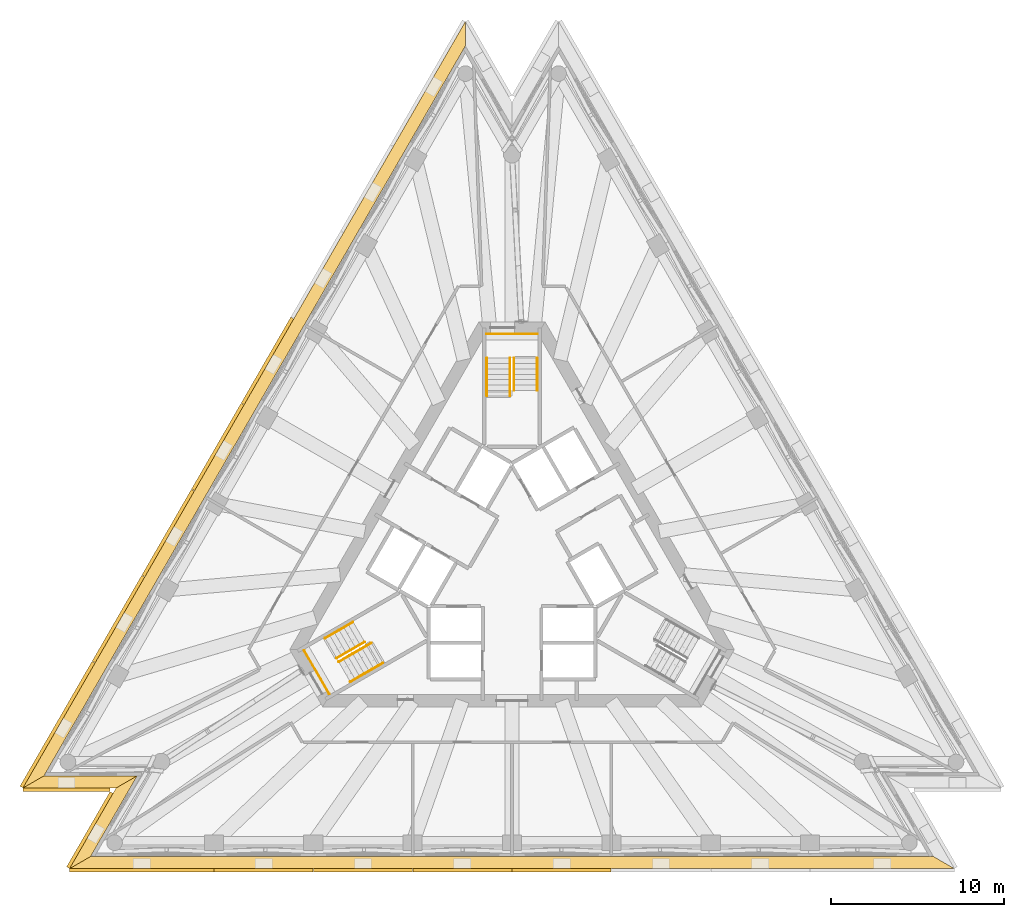
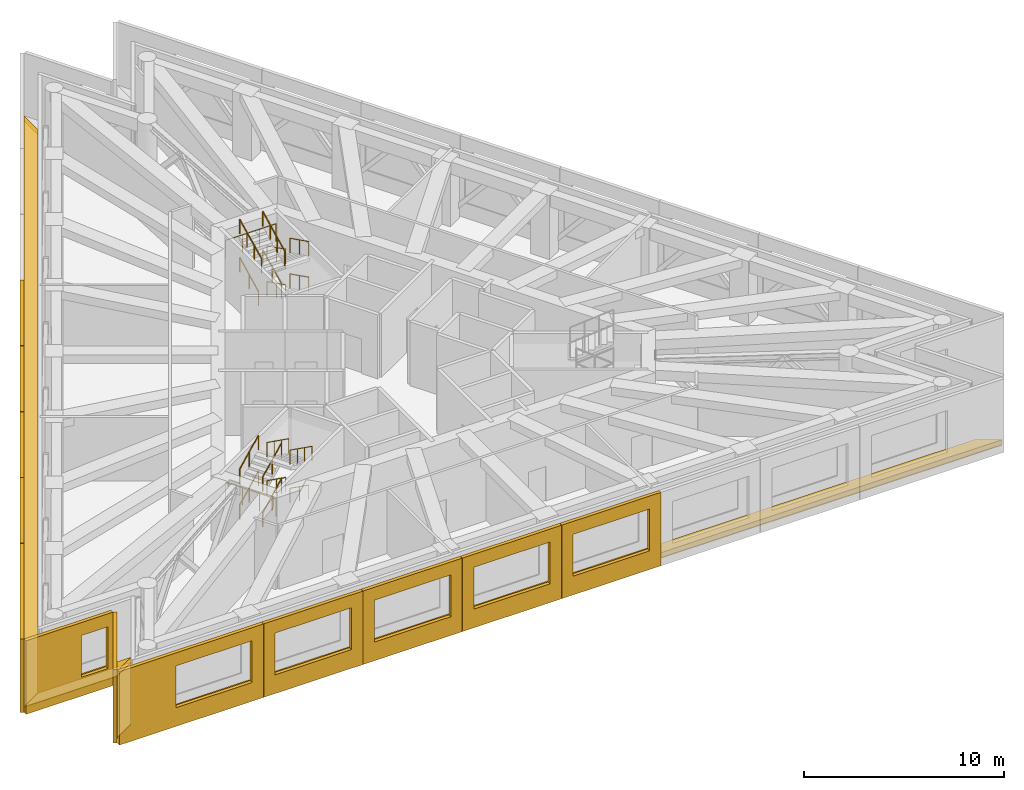
# One storey, part 11 of 12: 18 railings, 16 shading devices, 4 coverings, 2 elements without a shape of their own.
"""IFC4 building model written with IfcOpenShell, lengths in metres."""

from ifc_helpers import new_model, si_unit, direction, frame, origin, origin_2d, place, context, subcontext, project, spatial, polyline, circle, outline, extrude, material, layer, layer_set, layer_usage, type_object, element, aggregate, save


model = new_model("IFC4")

# Units and contexts
model_context = context("Model", 3, precision=1e-05, world=origin(), true_north=direction((0.0, 1.0)))
body_context = subcontext(model_context, "Body", "Model", "MODEL_VIEW")
ifc_project = project(units=[si_unit("LENGTHUNIT", "METRE"), si_unit("AREAUNIT", "SQUARE_METRE"), si_unit("VOLUMEUNIT", "CUBIC_METRE"), si_unit("PLANEANGLEUNIT", "RADIAN"), si_unit("MASSUNIT", "GRAM", prefix="KILO")], contexts=[model_context])

# Site, building, storey
site_placement = place(None, origin())
site = spatial("IfcSite", under=ifc_project, at=site_placement, CompositionType="ELEMENT")
building_placement = place(site_placement, origin())
building = spatial("IfcBuilding", under=site, at=building_placement, Name="Triada Interchange Tower", CompositionType="ELEMENT")
storey_placement = place(building_placement, frame((0.0, 0.0, 251.300048828125)))
storey = spatial("IfcBuildingStorey", under=building, at=storey_placement, Name="L59", CompositionType="ELEMENT", Elevation=251.300048828125)

# Coverings
ifc_material_1 = material(Name="Mineral fire-stop board")
ifc_layer_1 = layer(ifc_material_1, 0.0400390625, Name="Mineral fire-stop board")
ifc_material_2 = material(Name="Intumescent sealant")
ifc_layer_2 = layer(ifc_material_2, 0.010009765625, Name="Intumescent seal")
ifc_layer_set_1 = layer_set([ifc_layer_1, ifc_layer_2], Name="Cavity fire stop")
ifc_layer_usage = layer_usage(ifc_layer_set_1, "AXIS3", "POSITIVE", 0.0)
covering_type = type_object("IfcCoveringType", Name="Cavity fire stop", PredefinedType="INSULATION", material=ifc_layer_set_1)
covering_1_placement = place(storey_placement, origin())
element("IfcCovering", 1, at=covering_1_placement, inside=storey, type_object=covering_type, material=ifc_layer_usage, Name="Cavity fire stop L59 NW", PredefinedType="INSULATION", context=body_context, shape_type="SweptSolid", body=[
    extrude(outline(polyline([(-2.68603515625, 29.611083984375), (-2.68603515625, 31.010986328125), (-28.198974609375, -13.178955078125), (-26.987060546875, -12.47900390625), (-2.68603515625, 29.611083984375)])), origin(), (0.0, 0.0, 1.0), 0.050048828125),
])
covering_2_placement = place(storey_placement, origin())
element("IfcCovering", 2, at=covering_2_placement, inside=storey, type_object=covering_type, material=ifc_layer_usage, Name="Cavity fire stop L59 SW-1", PredefinedType="INSULATION", context=body_context, shape_type="SweptSolid", body=[
    extrude(outline(polyline([(-26.987060546875, -12.47900390625), (-28.198974609375, -13.178955078125), (-22.826904296875, -13.178955078125), (-21.614990234375, -12.47900390625), (-26.987060546875, -12.47900390625)])), origin(), (0.0, 0.0, 1.0), 0.050048828125),
])
covering_3_placement = place(storey_placement, origin())
element("IfcCovering", 3, at=covering_3_placement, inside=storey, type_object=covering_type, material=ifc_layer_usage, Name="Cavity fire stop L59 SW-2", PredefinedType="INSULATION", context=body_context, shape_type="SweptSolid", body=[
    extrude(outline(polyline([(-21.614990234375, -12.47900390625), (-22.826904296875, -13.178955078125), (-25.512939453125, -17.83203125), (-24.301025390625, -17.132080078125), (-21.614990234375, -12.47900390625)])), origin(), (0.0, 0.0, 1.0), 0.050048828125),
])
covering_4_placement = place(storey_placement, origin())
element("IfcCovering", 4, at=covering_4_placement, inside=storey, type_object=covering_type, material=ifc_layer_usage, Name="Cavity fire stop L59 S", PredefinedType="INSULATION", context=body_context, shape_type="SweptSolid", body=[
    extrude(outline(polyline([(-24.301025390625, -17.132080078125), (-25.512939453125, -17.83203125), (25.512939453125, -17.83203125), (24.301025390625, -17.132080078125), (-24.301025390625, -17.132080078125)])), origin(), (0.0, 0.0, 1.0), 0.050048828125),
])

# Shading devices
ifc_material_3 = material(Name="Aluminium louvre", Category="aluminium")
shading_device_type_1 = type_object("IfcShadingDeviceType", Name="Cavity louvre grille", PredefinedType="JALOUSIE", material=ifc_material_3)
shading_device_1_placement = place(storey_placement, frame((0.0, 0.0, 0.050048828125)))
element("IfcShadingDevice", 5, at=shading_device_1_placement, inside=storey, type_object=shading_device_type_1, Name="Cavity louvre grille L59 NW", PredefinedType="JALOUSIE", context=body_context, shape_type="SweptSolid", body=[
    extrude(outline(polyline([(-2.68603515625, 29.611083984375), (-2.68603515625, 31.010986328125), (-28.198974609375, -13.178955078125), (-26.987060546875, -12.47900390625), (-2.68603515625, 29.611083984375)])), origin(), (0.0, 0.0, 1.0), 0.2998046875),
])
shading_device_2_placement = place(storey_placement, frame((0.0, 0.0, 0.050048828125)))
element("IfcShadingDevice", 6, at=shading_device_2_placement, inside=storey, type_object=shading_device_type_1, Name="Cavity louvre grille L59 SW-1", PredefinedType="JALOUSIE", context=body_context, shape_type="SweptSolid", body=[
    extrude(outline(polyline([(-26.987060546875, -12.47900390625), (-28.198974609375, -13.178955078125), (-22.826904296875, -13.178955078125), (-21.614990234375, -12.47900390625), (-26.987060546875, -12.47900390625)])), origin(), (0.0, 0.0, 1.0), 0.2998046875),
])
shading_device_3_placement = place(storey_placement, frame((0.0, 0.0, 0.050048828125)))
element("IfcShadingDevice", 7, at=shading_device_3_placement, inside=storey, type_object=shading_device_type_1, Name="Cavity louvre grille L59 SW-2", PredefinedType="JALOUSIE", context=body_context, shape_type="SweptSolid", body=[
    extrude(outline(polyline([(-21.614990234375, -12.47900390625), (-22.826904296875, -13.178955078125), (-25.512939453125, -17.83203125), (-24.301025390625, -17.132080078125), (-21.614990234375, -12.47900390625)])), origin(), (0.0, 0.0, 1.0), 0.2998046875),
])
shading_device_4_placement = place(storey_placement, frame((0.0, 0.0, 0.050048828125)))
element("IfcShadingDevice", 8, at=shading_device_4_placement, inside=storey, type_object=shading_device_type_1, Name="Cavity louvre grille L59 S", PredefinedType="JALOUSIE", context=body_context, shape_type="SweptSolid", body=[
    extrude(outline(polyline([(-24.301025390625, -17.132080078125), (-25.512939453125, -17.83203125), (25.512939453125, -17.83203125), (24.301025390625, -17.132080078125), (-24.301025390625, -17.132080078125)])), origin(), (0.0, 0.0, 1.0), 0.2998046875),
])
ifc_material_4 = material(Name="Concrete C50/60 precast", Category="concrete")
ifc_layer_3 = layer(ifc_material_4, 0.02001953125, Name="Exposed aggregate face")
ifc_layer_4 = layer(ifc_material_4, 0.179931640625, Name="Precast concrete screen")
ifc_layer_set_2 = layer_set([ifc_layer_3, ifc_layer_4], Name="Outer skin screen panel 4480")
shading_device_type_2 = type_object("IfcShadingDeviceType", Name="Outer skin screen panel 4480", PredefinedType="SHUTTER", material=ifc_layer_set_2)
shading_device_5_placement = place(storey_placement, frame((-12.5830078125, 13.868896484375, -0.2900390625), z_axis=(0.0, 0.0, 1.0), x_axis=(-0.50008521762, -0.865976197778, 0.0)))
element("IfcShadingDevice", 9, at=shading_device_5_placement, inside=storey, type_object=shading_device_type_2, Name="Outer skin screen panel L59 04", PredefinedType="SHUTTER", context=body_context, shape_type="SweptSolid", body=[
    extrude(outline(polyline([(0.0, 0.0), (5.708984375, 0.0), (5.708984375, 4.47998046875), (0.0, 4.47998046875), (0.0, 0.0)]), holes=[polyline([(0.654296875, 1.139892578125), (0.654296875, 3.68994140625), (5.05419921875, 3.68994140625), (5.05419921875, 1.139892578125), (0.654296875, 1.139892578125)])]), frame((0.0, 0.0, 0.0), z_axis=(0.0, -1.0, 0.0), x_axis=(1.0, 0.0, 0.0)), (0.0, 0.0, 1.0), 0.199951171875),
])
shading_device_6_placement = place(storey_placement, frame((-15.447998046875, 8.906982421875, -0.2900390625), z_axis=(0.0, 0.0, 1.0), x_axis=(-0.499938405553, -0.866060962434, 0.0)))
element("IfcShadingDevice", 10, at=shading_device_6_placement, inside=storey, type_object=shading_device_type_2, Name="Outer skin screen panel L59 05", PredefinedType="SHUTTER", context=body_context, shape_type="SweptSolid", body=[
    extrude(outline(polyline([(0.0, 0.0), (5.708740234375, 0.0), (5.708740234375, 4.47998046875), (0.0, 4.47998046875), (0.0, 0.0)]), holes=[polyline([(0.654541015625, 1.139892578125), (0.654541015625, 3.68994140625), (5.054443359375, 3.68994140625), (5.054443359375, 1.139892578125), (0.654541015625, 1.139892578125)])]), frame((0.0, 0.0, 0.0), z_axis=(0.0, -1.0, 0.0), x_axis=(1.0, 0.0, 0.0)), (0.0, 0.0, 1.0), 0.199951171875),
])
shading_device_7_placement = place(storey_placement, frame((-18.31201171875, 3.946044921875, -0.2900390625), z_axis=(0.0, 0.0, 1.0), x_axis=(-0.499938405553, -0.866060962434, 0.0)))
element("IfcShadingDevice", 11, at=shading_device_7_placement, inside=storey, type_object=shading_device_type_2, Name="Outer skin screen panel L59 06", PredefinedType="SHUTTER", context=body_context, shape_type="SweptSolid", body=[
    extrude(outline(polyline([(0.0, 0.0), (5.708740234375, 0.0), (5.708740234375, 4.47998046875), (0.0, 4.47998046875), (0.0, 0.0)]), holes=[polyline([(0.65478515625, 1.139892578125), (0.65478515625, 3.68994140625), (5.0546875, 3.68994140625), (5.0546875, 1.139892578125), (0.65478515625, 1.139892578125)])]), frame((0.0, 0.0, 0.0), z_axis=(0.0, -1.0, 0.0), x_axis=(1.0, 0.0, 0.0)), (0.0, 0.0, 1.0), 0.199951171875),
])
shading_device_8_placement = place(storey_placement, frame((-21.176025390625, -1.014892578125, -0.2900390625), z_axis=(0.0, 0.0, 1.0), x_axis=(-0.500066698622, -0.865986891892, 0.0)))
element("IfcShadingDevice", 12, at=shading_device_8_placement, inside=storey, type_object=shading_device_type_2, Name="Outer skin screen panel L59 07", PredefinedType="SHUTTER", context=body_context, shape_type="SweptSolid", body=[
    extrude(outline(polyline([(0.0, 0.0), (5.709228515625, 0.0), (5.709228515625, 4.47998046875), (0.0, 4.47998046875), (0.0, 0.0)]), holes=[polyline([(0.654052734375, 1.139892578125), (0.654052734375, 3.68994140625), (5.053955078125, 3.68994140625), (5.053955078125, 1.139892578125), (0.654052734375, 1.139892578125)])]), frame((0.0, 0.0, 0.0), z_axis=(0.0, -1.0, 0.0), x_axis=(1.0, 0.0, 0.0)), (0.0, 0.0, 1.0), 0.199951171875),
])
shading_device_9_placement = place(storey_placement, frame((-24.041015625, -5.97607421875, -0.2900390625), z_axis=(0.0, 0.0, 1.0), x_axis=(-0.499973480863, -0.866040714074, 0.0)))
element("IfcShadingDevice", 13, at=shading_device_9_placement, inside=storey, type_object=shading_device_type_2, Name="Outer skin screen panel L59 08", PredefinedType="SHUTTER", context=body_context, shape_type="SweptSolid", body=[
    extrude(outline(polyline([(0.0, 0.0), (8.306640625, 0.0), (8.306640625, 4.47998046875), (0.0, 4.47998046875), (0.0, 0.0)]), holes=[polyline([(0.654296875, 1.139892578125), (0.654296875, 3.68994140625), (5.05419921875, 3.68994140625), (5.05419921875, 1.139892578125), (0.654296875, 1.139892578125)])]), frame((0.0, 0.0, 0.0), z_axis=(0.0, -1.0, 0.0), x_axis=(1.0, 0.0, 0.0)), (0.0, 0.0, 1.0), 0.199951171875),
])
shading_device_10_placement = place(storey_placement, frame((-28.18896484375, -13.178955078125, -0.2900390625), z_axis=(0.0, 0.0, 1.0), x_axis=(1.0, 0.0, 0.0)))
element("IfcShadingDevice", 14, at=shading_device_10_placement, inside=storey, type_object=shading_device_type_2, Name="Outer skin screen panel L59 09", PredefinedType="SHUTTER", context=body_context, shape_type="SweptSolid", body=[
    extrude(outline(polyline([(0.0, 0.0), (5.0048828125, 0.0), (5.0048828125, 4.47998046875), (0.0, 4.47998046875), (0.0, 0.0)]), holes=[polyline([(3.175048828125, 1.139892578125), (3.175048828125, 3.68994140625), (4.705078125, 3.68994140625), (4.705078125, 1.139892578125), (3.175048828125, 1.139892578125)])]), frame((0.0, 0.0, 0.0), z_axis=(0.0, -1.0, 0.0), x_axis=(1.0, 0.0, 0.0)), (0.0, 0.0, 1.0), 0.199951171875),
])
shading_device_11_placement = place(storey_placement, frame((-23.0048828125, -13.488037109375, -0.2900390625), z_axis=(0.0, 0.0, 1.0), x_axis=(-0.500057377241, -0.865992274485, 0.0)))
element("IfcShadingDevice", 15, at=shading_device_11_placement, inside=storey, type_object=shading_device_type_2, Name="Outer skin screen panel L59 10", PredefinedType="SHUTTER", context=body_context, shape_type="SweptSolid", body=[
    extrude(outline(polyline([(0.0, 0.0), (5.005859375, 0.0), (5.005859375, 4.47998046875), (0.0, 4.47998046875), (0.0, 0.0)]), holes=[polyline([(0.300048828125, 1.139892578125), (0.300048828125, 3.68994140625), (1.758056640625, 3.68994140625), (1.758056640625, 1.139892578125), (0.300048828125, 1.139892578125)])]), frame((0.0, 0.0, 0.0), z_axis=(0.0, -1.0, 0.0), x_axis=(1.0, 0.0, 0.0)), (0.0, 0.0, 1.0), 0.199951171875),
])
shading_device_12_placement = place(storey_placement, frame((-25.5029296875, -17.83203125, -0.2900390625), z_axis=(0.0, 0.0, 1.0), x_axis=(1.0, 0.0, 0.0)))
element("IfcShadingDevice", 16, at=shading_device_12_placement, inside=storey, type_object=shading_device_type_2, Name="Outer skin screen panel L59 11", PredefinedType="SHUTTER", context=body_context, shape_type="SweptSolid", body=[
    extrude(outline(polyline([(0.0, 0.0), (8.306884765625, 0.0), (8.306884765625, 4.47998046875), (0.0, 4.47998046875), (0.0, 0.0)]), holes=[polyline([(3.251953125, 1.139892578125), (3.251953125, 3.68994140625), (7.652099609375, 3.68994140625), (7.652099609375, 1.139892578125), (3.251953125, 1.139892578125)])]), frame((0.0, 0.0, 0.0), z_axis=(0.0, -1.0, 0.0), x_axis=(1.0, 0.0, 0.0)), (0.0, 0.0, 1.0), 0.199951171875),
])
shading_device_13_placement = place(storey_placement, frame((-17.176025390625, -17.83203125, -0.2900390625), z_axis=(0.0, 0.0, 1.0), x_axis=(1.0, 0.0, 0.0)))
element("IfcShadingDevice", 17, at=shading_device_13_placement, inside=storey, type_object=shading_device_type_2, Name="Outer skin screen panel L59 12", PredefinedType="SHUTTER", context=body_context, shape_type="SweptSolid", body=[
    extrude(outline(polyline([(0.0, 0.0), (5.7080078125, 0.0), (5.7080078125, 4.47998046875), (0.0, 4.47998046875), (0.0, 0.0)]), holes=[polyline([(0.654296875, 1.139892578125), (0.654296875, 3.68994140625), (5.05419921875, 3.68994140625), (5.05419921875, 1.139892578125), (0.654296875, 1.139892578125)])]), frame((0.0, 0.0, 0.0), z_axis=(0.0, -1.0, 0.0), x_axis=(1.0, 0.0, 0.0)), (0.0, 0.0, 1.0), 0.199951171875),
])
shading_device_14_placement = place(storey_placement, frame((-11.447998046875, -17.83203125, -0.2900390625), z_axis=(0.0, 0.0, 1.0), x_axis=(1.0, 0.0, 0.0)))
element("IfcShadingDevice", 18, at=shading_device_14_placement, inside=storey, type_object=shading_device_type_2, Name="Outer skin screen panel L59 13", PredefinedType="SHUTTER", context=body_context, shape_type="SweptSolid", body=[
    extrude(outline(polyline([(0.0, 0.0), (5.708984375, 0.0), (5.708984375, 4.47998046875), (0.0, 4.47998046875), (0.0, 0.0)]), holes=[polyline([(0.654541015625, 1.139892578125), (0.654541015625, 3.68994140625), (5.054443359375, 3.68994140625), (5.054443359375, 1.139892578125), (0.654541015625, 1.139892578125)])]), frame((0.0, 0.0, 0.0), z_axis=(0.0, -1.0, 0.0), x_axis=(1.0, 0.0, 0.0)), (0.0, 0.0, 1.0), 0.199951171875),
])
shading_device_15_placement = place(storey_placement, frame((-5.718994140625, -17.83203125, -0.2900390625), z_axis=(0.0, 0.0, 1.0), x_axis=(1.0, 0.0, 0.0)))
element("IfcShadingDevice", 19, at=shading_device_15_placement, inside=storey, type_object=shading_device_type_2, Name="Outer skin screen panel L59 14", PredefinedType="SHUTTER", context=body_context, shape_type="SweptSolid", body=[
    extrude(outline(polyline([(0.0, 0.0), (5.708984375, 0.0), (5.708984375, 4.47998046875), (0.0, 4.47998046875), (0.0, 0.0)]), holes=[polyline([(0.65478515625, 1.139892578125), (0.65478515625, 3.68994140625), (5.0546875, 3.68994140625), (5.0546875, 1.139892578125), (0.65478515625, 1.139892578125)])]), frame((0.0, 0.0, 0.0), z_axis=(0.0, -1.0, 0.0), x_axis=(1.0, 0.0, 0.0)), (0.0, 0.0, 1.0), 0.199951171875),
])
shading_device_16_placement = place(storey_placement, frame((0.010009765625, -17.83203125, -0.2900390625), z_axis=(0.0, 0.0, 1.0), x_axis=(1.0, 0.0, 0.0)))
element("IfcShadingDevice", 20, at=shading_device_16_placement, inside=storey, type_object=shading_device_type_2, Name="Outer skin screen panel L59 15", PredefinedType="SHUTTER", context=body_context, shape_type="SweptSolid", body=[
    extrude(outline(polyline([(0.0, 0.0), (5.708984375, 0.0), (5.708984375, 4.47998046875), (0.0, 4.47998046875), (0.0, 0.0)]), holes=[polyline([(0.654052734375, 1.139892578125), (0.654052734375, 3.68994140625), (5.053955078125, 3.68994140625), (5.053955078125, 1.139892578125), (0.654052734375, 1.139892578125)])]), frame((0.0, 0.0, 0.0), z_axis=(0.0, -1.0, 0.0), x_axis=(1.0, 0.0, 0.0)), (0.0, 0.0, 1.0), 0.199951171875),
])

# Stair, railing
ifc_material_5 = material(Name="Concrete C35/45", Category="concrete")
stair_type = type_object("IfcStairType", Name="HALF TURN STAIR 1400", PredefinedType="HALF_TURN_STAIR", material=ifc_material_5)
stair_1_placement = place(storey_placement, origin())
stair_1 = element("IfcStair", 21, at=stair_1_placement, inside=storey, type_object=stair_type, Name="Exit stair S59-1", PredefinedType="HALF_TURN_STAIR")
ifc_material_6 = material(Name="Stainless steel 1.4301", Category="steel")
railing_type_1 = type_object("IfcRailingType", Name="STAIR GUARD 1100", PredefinedType="GUARDRAIL", material=ifc_material_6)
railing_1_placement = place(storey_placement, frame((1.449951171875, 13.0, 2.17236328125)))
railing_1 = element("IfcRailing", 22, at=railing_1_placement, type_object=railing_type_1, Name="Guard S59-1 1", PredefinedType="GUARDRAIL", context=body_context, shape_type="SweptSolid", body=[
    extrude(circle(Radius=0.02392578125, at=origin_2d()), frame((0.0, 0.0, 1.076171875), z_axis=(-1.0, 0.0, 0.0), x_axis=(0.0, -1.0, 0.0)), (0.0, 0.0, 1.0), 2.89990234375),
    extrude(circle(Radius=0.02099609375, at=origin_2d()), origin(), (0.0, 0.0, 1.0), 1.052001953125),
    extrude(circle(Radius=0.02099609375, at=origin_2d()), frame((-0.966552734375, 0.0, 0.0)), (0.0, 0.0, 1.0), 1.052001953125),
    extrude(circle(Radius=0.02099609375, at=origin_2d()), frame((-1.933349609375, 0.0, 0.0)), (0.0, 0.0, 1.0), 1.052001953125),
    extrude(circle(Radius=0.02099609375, at=origin_2d()), frame((-2.89990234375, 0.0, 0.0)), (0.0, 0.0, 1.0), 1.052001953125),
])

stair_2_placement = place(storey_placement, origin())
stair_2 = element("IfcStair", 23, at=stair_2_placement, inside=storey, type_object=stair_type, Name="Exit stair S59-2", PredefinedType="HALF_TURN_STAIR")
railing_2_placement = place(storey_placement, frame((-11.98291015625, -5.243896484375, 2.17236328125)))
railing_2 = element("IfcRailing", 24, at=railing_2_placement, type_object=railing_type_1, Name="Guard S59-2 1", PredefinedType="GUARDRAIL", context=body_context, shape_type="SweptSolid", body=[
    extrude(circle(Radius=0.02392578125, at=origin_2d()), frame((0.0, 0.0, 1.076171875), z_axis=(0.499877891294, -0.866095891802, 0.0), x_axis=(0.866095891802, 0.499877891294, 0.0)), (0.0, 0.0, 1.0), 2.900634765625),
    extrude(circle(Radius=0.02099609375, at=origin_2d()), origin(), (0.0, 0.0, 1.0), 1.052001953125),
    extrude(circle(Radius=0.02099609375, at=origin_2d()), frame((0.4833984375, -0.83740234375, 0.0)), (0.0, 0.0, 1.0), 1.052001953125),
    extrude(circle(Radius=0.02099609375, at=origin_2d()), frame((0.966552734375, -1.6748046875, 0.0)), (0.0, 0.0, 1.0), 1.052001953125),
    extrude(circle(Radius=0.02099609375, at=origin_2d()), frame((1.449951171875, -2.51220703125, 0.0)), (0.0, 0.0, 1.0), 1.052001953125),
])

# Railing
railing_type_2 = type_object("IfcRailingType", Name="STAIR HANDRAIL 900", PredefinedType="HANDRAIL", material=ifc_material_6)
railing_3_placement = place(storey_placement, frame((1.449951171875, 11.60009765625, 0.155029296875)))
railing_3 = element("IfcRailing", 25, at=railing_3_placement, type_object=railing_type_2, Name="Handrail S59-1 1W", PredefinedType="HANDRAIL", context=body_context, shape_type="SweptSolid", body=[
    extrude(circle(Radius=0.02392578125, at=origin_2d()), frame((0.0, 0.0, 0.8759765625), z_axis=(0.0, -0.894215831392, 0.447636065222), x_axis=(1.0, 0.0, 0.0)), (0.0, 0.0, 1.0), 2.080078125),
    extrude(circle(Radius=0.02099609375, at=origin_2d()), origin(), (0.0, 0.0, 1.0), 0.851806640625),
    extrude(circle(Radius=0.02099609375, at=origin_2d()), frame((0.0, -0.93017578125, 0.465576171875)), (0.0, 0.0, 1.0), 0.851806640625),
    extrude(circle(Radius=0.02099609375, at=origin_2d()), frame((0.0, -1.860107421875, 0.93115234375)), (0.0, 0.0, 1.0), 0.851806640625),
])

railing_4_placement = place(storey_placement, frame((0.1201171875, 11.60009765625, 0.155029296875)))
railing_4 = element("IfcRailing", 26, at=railing_4_placement, type_object=railing_type_2, Name="Handrail S59-1 1C", PredefinedType="HANDRAIL", context=body_context, shape_type="SweptSolid", body=[
    extrude(circle(Radius=0.02392578125, at=origin_2d()), frame((0.0, 0.0, 0.8759765625), z_axis=(0.0, -0.894215831392, 0.447636065222), x_axis=(1.0, 0.0, 0.0)), (0.0, 0.0, 1.0), 2.080078125),
    extrude(circle(Radius=0.02099609375, at=origin_2d()), origin(), (0.0, 0.0, 1.0), 0.851806640625),
    extrude(circle(Radius=0.02099609375, at=origin_2d()), frame((0.0, -0.93017578125, 0.465576171875)), (0.0, 0.0, 1.0), 0.851806640625),
    extrude(circle(Radius=0.02099609375, at=origin_2d()), frame((0.0, -1.860107421875, 0.93115234375)), (0.0, 0.0, 1.0), 0.851806640625),
])

railing_5_placement = place(storey_placement, frame((-1.449951171875, 9.739990234375, 1.241455078125)))
railing_5 = element("IfcRailing", 27, at=railing_5_placement, type_object=railing_type_2, Name="Handrail S59-1 2W", PredefinedType="HANDRAIL", context=body_context, shape_type="SweptSolid", body=[
    extrude(circle(Radius=0.02392578125, at=origin_2d()), frame((0.0, 0.0, 0.8759765625), z_axis=(0.0, 0.894262808804, 0.447542208947), x_axis=(-1.0, 0.0, 0.0)), (0.0, 0.0, 1.0), 2.080078125),
    extrude(circle(Radius=0.02099609375, at=origin_2d()), origin(), (0.0, 0.0, 1.0), 0.851806640625),
    extrude(circle(Radius=0.02099609375, at=origin_2d()), frame((0.0, 0.93017578125, 0.46533203125)), (0.0, 0.0, 1.0), 0.851806640625),
    extrude(circle(Radius=0.02099609375, at=origin_2d()), frame((0.0, 1.860107421875, 0.930908203125)), (0.0, 0.0, 1.0), 0.851806640625),
])

railing_6_placement = place(storey_placement, frame((-0.1201171875, 9.739990234375, 1.241455078125)))
railing_6 = element("IfcRailing", 28, at=railing_6_placement, type_object=railing_type_2, Name="Handrail S59-1 2C", PredefinedType="HANDRAIL", context=body_context, shape_type="SweptSolid", body=[
    extrude(circle(Radius=0.02392578125, at=origin_2d()), frame((0.0, 0.0, 0.8759765625), z_axis=(0.0, 0.894262808804, 0.447542208947), x_axis=(-1.0, 0.0, 0.0)), (0.0, 0.0, 1.0), 2.080078125),
    extrude(circle(Radius=0.02099609375, at=origin_2d()), origin(), (0.0, 0.0, 1.0), 0.851806640625),
    extrude(circle(Radius=0.02099609375, at=origin_2d()), frame((0.0, 0.93017578125, 0.46533203125)), (0.0, 0.0, 1.0), 0.851806640625),
    extrude(circle(Radius=0.02099609375, at=origin_2d()), frame((0.0, 1.860107421875, 0.930908203125)), (0.0, 0.0, 1.0), 0.851806640625),
])

railing_7_placement = place(storey_placement, frame((1.449951171875, 11.60009765625, 2.32763671875)))
railing_7 = element("IfcRailing", 29, at=railing_7_placement, type_object=railing_type_2, Name="Handrail S59-1 3W", PredefinedType="HANDRAIL", context=body_context, shape_type="SweptSolid", body=[
    extrude(circle(Radius=0.02392578125, at=origin_2d()), frame((0.0, 0.0, 0.8759765625), z_axis=(0.0, -0.894262808804, 0.447542208947), x_axis=(1.0, 0.0, 0.0)), (0.0, 0.0, 1.0), 2.080078125),
    extrude(circle(Radius=0.02099609375, at=origin_2d()), origin(), (0.0, 0.0, 1.0), 0.851806640625),
    extrude(circle(Radius=0.02099609375, at=origin_2d()), frame((0.0, -0.93017578125, 0.46533203125)), (0.0, 0.0, 1.0), 0.851806640625),
    extrude(circle(Radius=0.02099609375, at=origin_2d()), frame((0.0, -1.860107421875, 0.930908203125)), (0.0, 0.0, 1.0), 0.851806640625),
])

railing_8_placement = place(storey_placement, frame((0.1201171875, 11.60009765625, 2.32763671875)))
railing_8 = element("IfcRailing", 30, at=railing_8_placement, type_object=railing_type_2, Name="Handrail S59-1 3C", PredefinedType="HANDRAIL", context=body_context, shape_type="SweptSolid", body=[
    extrude(circle(Radius=0.02392578125, at=origin_2d()), frame((0.0, 0.0, 0.8759765625), z_axis=(0.0, -0.894262808804, 0.447542208947), x_axis=(1.0, 0.0, 0.0)), (0.0, 0.0, 1.0), 2.080078125),
    extrude(circle(Radius=0.02099609375, at=origin_2d()), origin(), (0.0, 0.0, 1.0), 0.851806640625),
    extrude(circle(Radius=0.02099609375, at=origin_2d()), frame((0.0, -0.93017578125, 0.46533203125)), (0.0, 0.0, 1.0), 0.851806640625),
    extrude(circle(Radius=0.02099609375, at=origin_2d()), frame((0.0, -1.860107421875, 0.930908203125)), (0.0, 0.0, 1.0), 0.851806640625),
])

railing_9_placement = place(storey_placement, frame((-1.449951171875, 9.429931640625, 3.413818359375)))
railing_9 = element("IfcRailing", 31, at=railing_9_placement, type_object=railing_type_2, Name="Handrail S59-1 4W", PredefinedType="HANDRAIL", context=body_context, shape_type="SweptSolid", body=[
    extrude(circle(Radius=0.02392578125, at=origin_2d()), frame((0.0, 0.0, 0.8759765625), z_axis=(0.0, 0.894246035119, 0.447575723956), x_axis=(-1.0, 0.0, 0.0)), (0.0, 0.0, 1.0), 2.4267578125),
    extrude(circle(Radius=0.02099609375, at=origin_2d()), origin(), (0.0, 0.0, 1.0), 0.851806640625),
    extrude(circle(Radius=0.02099609375, at=origin_2d()), frame((0.0, 0.723388671875, 0.362060546875)), (0.0, 0.0, 1.0), 0.851806640625),
    extrude(circle(Radius=0.02099609375, at=origin_2d()), frame((0.0, 1.44677734375, 0.72412109375)), (0.0, 0.0, 1.0), 0.851806640625),
    extrude(circle(Radius=0.02099609375, at=origin_2d()), frame((0.0, 2.170166015625, 1.086181640625)), (0.0, 0.0, 1.0), 0.851806640625),
])

railing_10_placement = place(storey_placement, frame((-0.1201171875, 9.429931640625, 3.413818359375)))
railing_10 = element("IfcRailing", 32, at=railing_10_placement, type_object=railing_type_2, Name="Handrail S59-1 4C", PredefinedType="HANDRAIL", context=body_context, shape_type="SweptSolid", body=[
    extrude(circle(Radius=0.02392578125, at=origin_2d()), frame((0.0, 0.0, 0.8759765625), z_axis=(0.0, 0.894246035119, 0.447575723956), x_axis=(-1.0, 0.0, 0.0)), (0.0, 0.0, 1.0), 2.4267578125),
    extrude(circle(Radius=0.02099609375, at=origin_2d()), origin(), (0.0, 0.0, 1.0), 0.851806640625),
    extrude(circle(Radius=0.02099609375, at=origin_2d()), frame((0.0, 0.723388671875, 0.362060546875)), (0.0, 0.0, 1.0), 0.851806640625),
    extrude(circle(Radius=0.02099609375, at=origin_2d()), frame((0.0, 1.44677734375, 0.72412109375)), (0.0, 0.0, 1.0), 0.851806640625),
    extrude(circle(Radius=0.02099609375, at=origin_2d()), frame((0.0, 2.170166015625, 1.086181640625)), (0.0, 0.0, 1.0), 0.851806640625),
])

aggregate(stair_1, [railing_3, railing_4, railing_5, railing_6, railing_7, railing_8, railing_9, railing_10, railing_1])

railing_11_placement = place(storey_placement, frame((-10.77099609375, -4.5439453125, 0.155029296875)))
railing_11 = element("IfcRailing", 33, at=railing_11_placement, type_object=railing_type_2, Name="Handrail S59-2 1W", PredefinedType="HANDRAIL", context=body_context, shape_type="SweptSolid", body=[
    extrude(circle(Radius=0.02392578125, at=origin_2d()), frame((0.0, 0.0, 0.8759765625), z_axis=(0.774469289278, 0.447030386856, 0.447617194925), x_axis=(-0.499908018857, 0.866078502609, 0.0)), (0.0, 0.0, 1.0), 2.080322265625),
    extrude(circle(Radius=0.02099609375, at=origin_2d()), origin(), (0.0, 0.0, 1.0), 0.851806640625),
    extrude(circle(Radius=0.02099609375, at=origin_2d()), frame((0.8056640625, 0.46484375, 0.465576171875)), (0.0, 0.0, 1.0), 0.851806640625),
    extrude(circle(Radius=0.02099609375, at=origin_2d()), frame((1.611083984375, 0.929931640625, 0.93115234375)), (0.0, 0.0, 1.0), 0.851806640625),
])

railing_12_placement = place(storey_placement, frame((-10.10595703125, -5.696044921875, 0.155029296875)))
railing_12 = element("IfcRailing", 34, at=railing_12_placement, type_object=railing_type_2, Name="Handrail S59-2 1C", PredefinedType="HANDRAIL", context=body_context, shape_type="SweptSolid", body=[
    extrude(circle(Radius=0.02392578125, at=origin_2d()), frame((0.0, 0.0, 0.8759765625), z_axis=(0.774422315071, 0.447071021234, 0.447657882643), x_axis=(-0.499964847546, 0.866045698112, 0.0)), (0.0, 0.0, 1.0), 2.080078125),
    extrude(circle(Radius=0.02099609375, at=origin_2d()), origin(), (0.0, 0.0, 1.0), 0.851806640625),
    extrude(circle(Radius=0.02099609375, at=origin_2d()), frame((0.805419921875, 0.46484375, 0.465576171875)), (0.0, 0.0, 1.0), 0.851806640625),
    extrude(circle(Radius=0.02099609375, at=origin_2d()), frame((1.61083984375, 0.929931640625, 0.93115234375)), (0.0, 0.0, 1.0), 0.851806640625),
])

railing_13_placement = place(storey_placement, frame((-7.7099609375, -6.1259765625, 1.241455078125)))
railing_13 = element("IfcRailing", 35, at=railing_13_placement, type_object=railing_type_2, Name="Handrail S59-2 2W", PredefinedType="HANDRAIL", context=body_context, shape_type="SweptSolid", body=[
    extrude(circle(Radius=0.02392578125, at=origin_2d()), frame((0.0, 0.0, 0.8759765625), z_axis=(-0.774509972404, -0.447053869509, 0.447523340624), x_axis=(0.499908018857, -0.866078502609, 0.0)), (0.0, 0.0, 1.0), 2.080078125),
    extrude(circle(Radius=0.02099609375, at=origin_2d()), origin(), (0.0, 0.0, 1.0), 0.851806640625),
    extrude(circle(Radius=0.02099609375, at=origin_2d()), frame((-0.8056640625, -0.46484375, 0.46533203125)), (0.0, 0.0, 1.0), 0.851806640625),
    extrude(circle(Radius=0.02099609375, at=origin_2d()), frame((-1.611083984375, -0.929931640625, 0.930908203125)), (0.0, 0.0, 1.0), 0.851806640625),
])

railing_14_placement = place(storey_placement, frame((-8.375, -4.97412109375, 1.241455078125)))
railing_14 = element("IfcRailing", 36, at=railing_14_placement, type_object=railing_type_2, Name="Handrail S59-2 2C", PredefinedType="HANDRAIL", context=body_context, shape_type="SweptSolid", body=[
    extrude(circle(Radius=0.02392578125, at=origin_2d()), frame((0.0, 0.0, 0.8759765625), z_axis=(-0.774509972404, -0.447053869509, 0.447523340624), x_axis=(0.499908018857, -0.866078502609, 0.0)), (0.0, 0.0, 1.0), 2.080078125),
    extrude(circle(Radius=0.02099609375, at=origin_2d()), origin(), (0.0, 0.0, 1.0), 0.851806640625),
    extrude(circle(Radius=0.02099609375, at=origin_2d()), frame((-0.8056640625, -0.46484375, 0.46533203125)), (0.0, 0.0, 1.0), 0.851806640625),
    extrude(circle(Radius=0.02099609375, at=origin_2d()), frame((-1.611083984375, -0.929931640625, 0.930908203125)), (0.0, 0.0, 1.0), 0.851806640625),
])

railing_15_placement = place(storey_placement, frame((-10.77099609375, -4.5439453125, 2.32763671875)))
railing_15 = element("IfcRailing", 37, at=railing_15_placement, type_object=railing_type_2, Name="Handrail S59-2 3W", PredefinedType="HANDRAIL", context=body_context, shape_type="SweptSolid", body=[
    extrude(circle(Radius=0.02392578125, at=origin_2d()), frame((0.0, 0.0, 0.8759765625), z_axis=(0.774509972404, 0.447053869509, 0.447523340624), x_axis=(-0.499908018857, 0.866078502609, 0.0)), (0.0, 0.0, 1.0), 2.080078125),
    extrude(circle(Radius=0.02099609375, at=origin_2d()), origin(), (0.0, 0.0, 1.0), 0.851806640625),
    extrude(circle(Radius=0.02099609375, at=origin_2d()), frame((0.8056640625, 0.46484375, 0.46533203125)), (0.0, 0.0, 1.0), 0.851806640625),
    extrude(circle(Radius=0.02099609375, at=origin_2d()), frame((1.611083984375, 0.929931640625, 0.930908203125)), (0.0, 0.0, 1.0), 0.851806640625),
])

railing_16_placement = place(storey_placement, frame((-10.10595703125, -5.696044921875, 2.32763671875)))
railing_16 = element("IfcRailing", 38, at=railing_16_placement, type_object=railing_type_2, Name="Handrail S59-2 3C", PredefinedType="HANDRAIL", context=body_context, shape_type="SweptSolid", body=[
    extrude(circle(Radius=0.02392578125, at=origin_2d()), frame((0.0, 0.0, 0.8759765625), z_axis=(0.774463003126, 0.447094510292, 0.447564024086), x_axis=(-0.499964847546, 0.866045698112, 0.0)), (0.0, 0.0, 1.0), 2.079833984375),
    extrude(circle(Radius=0.02099609375, at=origin_2d()), origin(), (0.0, 0.0, 1.0), 0.851806640625),
    extrude(circle(Radius=0.02099609375, at=origin_2d()), frame((0.805419921875, 0.46484375, 0.46533203125)), (0.0, 0.0, 1.0), 0.851806640625),
    extrude(circle(Radius=0.02099609375, at=origin_2d()), frame((1.61083984375, 0.929931640625, 0.930908203125)), (0.0, 0.0, 1.0), 0.851806640625),
])

railing_17_placement = place(storey_placement, frame((-7.44189453125, -5.970947265625, 3.413818359375)))
railing_17 = element("IfcRailing", 39, at=railing_17_placement, type_object=railing_type_2, Name="Handrail S59-2 4W", PredefinedType="HANDRAIL", context=body_context, shape_type="SweptSolid", body=[
    extrude(circle(Radius=0.02392578125, at=origin_2d()), frame((0.0, 0.0, 0.8759765625), z_axis=(-0.774412913132, -0.447121084313, 0.447624145839), x_axis=(0.500011390128, -0.866018827591, 0.0)), (0.0, 0.0, 1.0), 2.426513671875),
    extrude(circle(Radius=0.02099609375, at=origin_2d()), origin(), (0.0, 0.0, 1.0), 0.851806640625),
    extrude(circle(Radius=0.02099609375, at=origin_2d()), frame((-0.62646484375, -0.361572265625, 0.362060546875)), (0.0, 0.0, 1.0), 0.851806640625),
    extrude(circle(Radius=0.02099609375, at=origin_2d()), frame((-1.252685546875, -0.723388671875, 0.72412109375)), (0.0, 0.0, 1.0), 0.851806640625),
    extrude(circle(Radius=0.02099609375, at=origin_2d()), frame((-1.879150390625, -1.0849609375, 1.086181640625)), (0.0, 0.0, 1.0), 0.851806640625),
])

railing_18_placement = place(storey_placement, frame((-8.10693359375, -4.819091796875, 3.413818359375)))
railing_18 = element("IfcRailing", 40, at=railing_18_placement, type_object=railing_type_2, Name="Handrail S59-2 4C", PredefinedType="HANDRAIL", context=body_context, shape_type="SweptSolid", body=[
    extrude(circle(Radius=0.02392578125, at=origin_2d()), frame((0.0, 0.0, 0.8759765625), z_axis=(-0.774412913132, -0.447121084313, 0.447624145839), x_axis=(0.500011390128, -0.866018827591, 0.0)), (0.0, 0.0, 1.0), 2.426513671875),
    extrude(circle(Radius=0.02099609375, at=origin_2d()), origin(), (0.0, 0.0, 1.0), 0.851806640625),
    extrude(circle(Radius=0.02099609375, at=origin_2d()), frame((-0.62646484375, -0.361572265625, 0.362060546875)), (0.0, 0.0, 1.0), 0.851806640625),
    extrude(circle(Radius=0.02099609375, at=origin_2d()), frame((-1.252685546875, -0.723388671875, 0.72412109375)), (0.0, 0.0, 1.0), 0.851806640625),
    extrude(circle(Radius=0.02099609375, at=origin_2d()), frame((-1.879150390625, -1.0849609375, 1.086181640625)), (0.0, 0.0, 1.0), 0.851806640625),
])

aggregate(stair_2, [railing_11, railing_12, railing_13, railing_14, railing_15, railing_16, railing_17, railing_18, railing_2])

save(model, "model.ifc")
